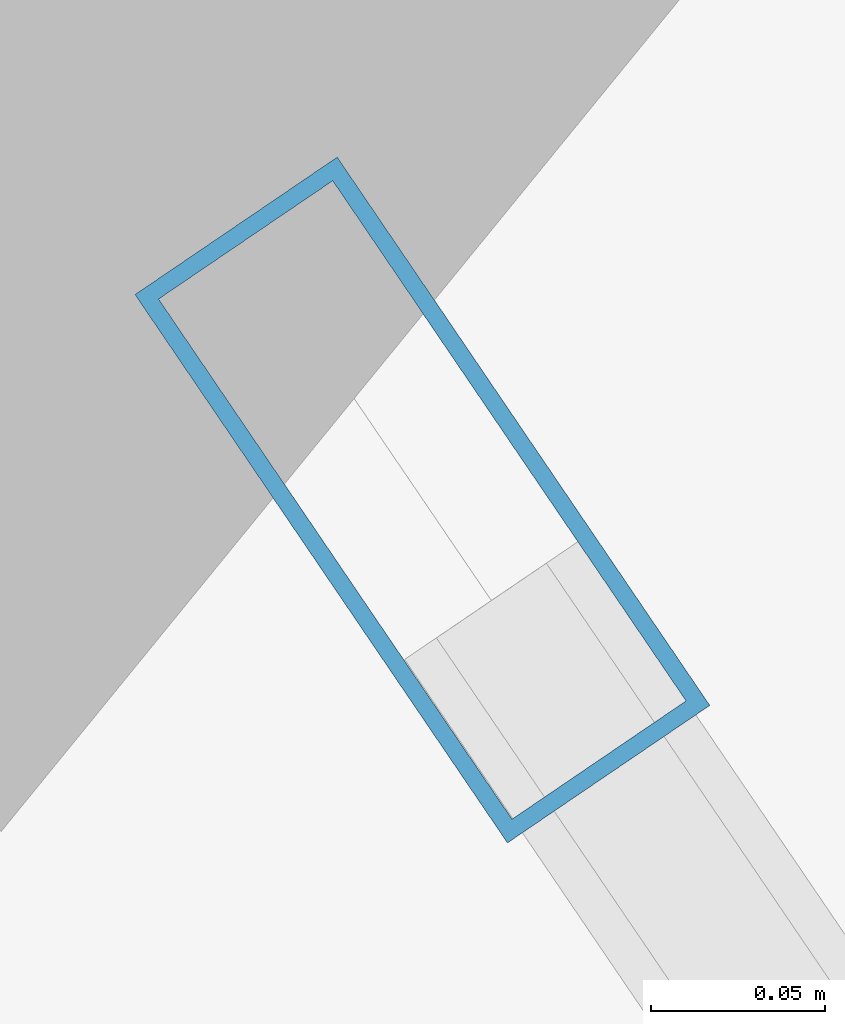
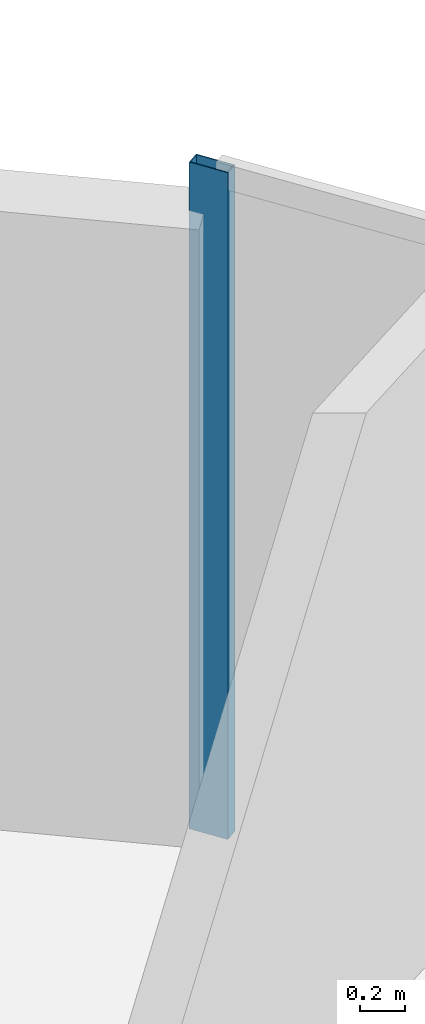
# One storey, part 18 of 26: 1 member, 1 element without a shape of its own.
"""IFC4 building model written with IfcOpenShell, lengths in metres."""

from ifc_helpers import new_model, si_unit, direction, frame, origin, origin_2d, place, context, subcontext, project, spatial, hollow_rectangle, extrude, source, transform, mapped, material, layer, layer_set, material_profile, profile_set, type_object, element, aggregate, save


model = new_model("IFC4")

# Units and contexts
model_context = context("Model", 3, precision=1e-05, world=origin(), true_north=direction((0.0, 1.0)))
body_context = subcontext(model_context, "Body", "Model", "MODEL_VIEW")
ifc_project = project(units=[si_unit("LENGTHUNIT", "METRE"), si_unit("AREAUNIT", "SQUARE_METRE"), si_unit("VOLUMEUNIT", "CUBIC_METRE"), si_unit("PLANEANGLEUNIT", "RADIAN"), si_unit("MASSUNIT", "GRAM", prefix="KILO")], contexts=[model_context])

# Site, building, storey
site_placement = place(None, origin())
site = spatial("IfcSite", under=ifc_project, at=site_placement, CompositionType="ELEMENT")
building_placement = place(site_placement, origin())
building = spatial("IfcBuilding", under=site, at=building_placement, Name="Solvirekh Grand Hotel", CompositionType="ELEMENT")
storey_placement = place(building_placement, frame((0.0, 0.0, 64.39990234375)))
storey = spatial("IfcBuildingStorey", under=building, at=storey_placement, Name="L15", CompositionType="ELEMENT", Elevation=64.39990234375)

# Curtain wall, member
ifc_material = material(Name="Anodized Bronze Aluminium 6063-T6", Category="aluminium")
ifc_layer = layer(ifc_material, 0.18994140625)
ifc_layer_set = layer_set([ifc_layer], Name="Anodized Bronze Aluminium 6063-T6")
curtain_wall_type = type_object("IfcCurtainWallType", Name="CW_Sys2_LowZoneFlushBronzeCW", PredefinedType="NOTDEFINED", material=ifc_layer_set)
curtain_wall_placement = place(storey_placement, origin())
curtain_wall = element("IfcCurtainWall", 1, at=curtain_wall_placement, inside=storey, type_object=curtain_wall_type, Name="L15 unitised bronze-glass curtain wall CW-L15-C03", PredefinedType="NOTDEFINED")
ifc_material_profile = material_profile(ifc_material, hollow_rectangle(XDim=0.070068359375, YDim=0.18994140625, WallThickness=0.0048828125, at=origin_2d()), Name="ALU RHS 190X70X5")
ifc_profile_set = profile_set([ifc_material_profile], Name="Anodized Bronze Aluminium 6063-T6")
member_type = type_object("IfcMemberType", Name="CWMullion_Sys2", PredefinedType="MULLION", material=ifc_profile_set)
shared_shape = source(origin(), body_context, "Body", "SweptSolid", [
    extrude(hollow_rectangle(XDim=0.070068359375, YDim=0.18994140625, WallThickness=0.0048828125, at=origin_2d()), origin(), (0.0, 0.0, 1.0), 3.60009765625),
])
member_placement = place(storey_placement, frame((19.171630859375, 12.47900390625, 0.0), z_axis=(0.0, 0.0, 1.0), x_axis=(-0.827146114873, -0.561986925694, 0.0)))
member = element("IfcMember", 2, at=member_placement, type_object=member_type, Name="U02 mullion 3", PredefinedType="MULLION", context=body_context, shape_type="MappedRepresentation", body=[
    mapped(shared_shape, transform((0.0, 0.0, 0.0), x_axis=(1.0, 0.0, 0.0), y_axis=(0.0, 1.0, 0.0), z_axis=(0.0, 0.0, 1.0), scale=1.0)),
])
aggregate(curtain_wall, [member])

save(model, "model.ifc")
